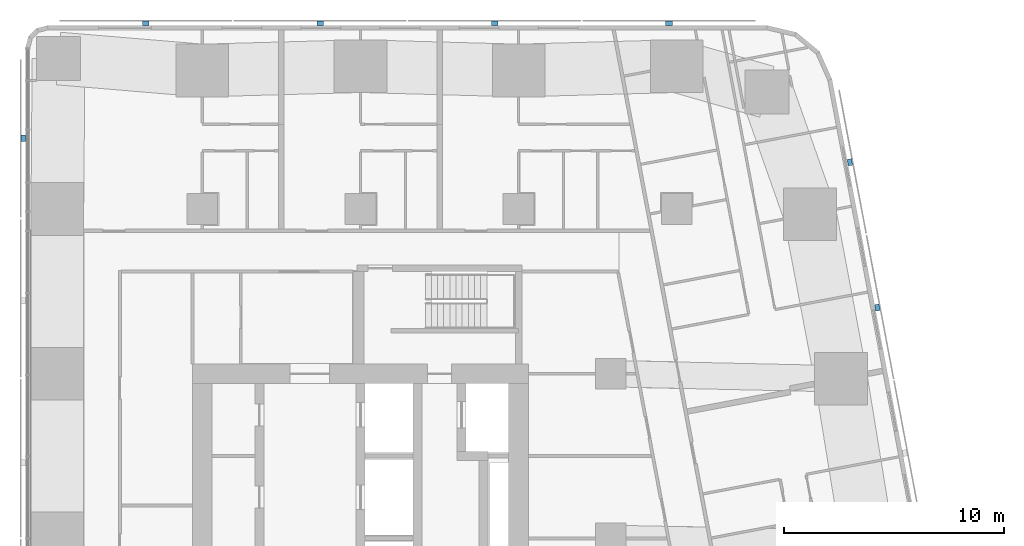
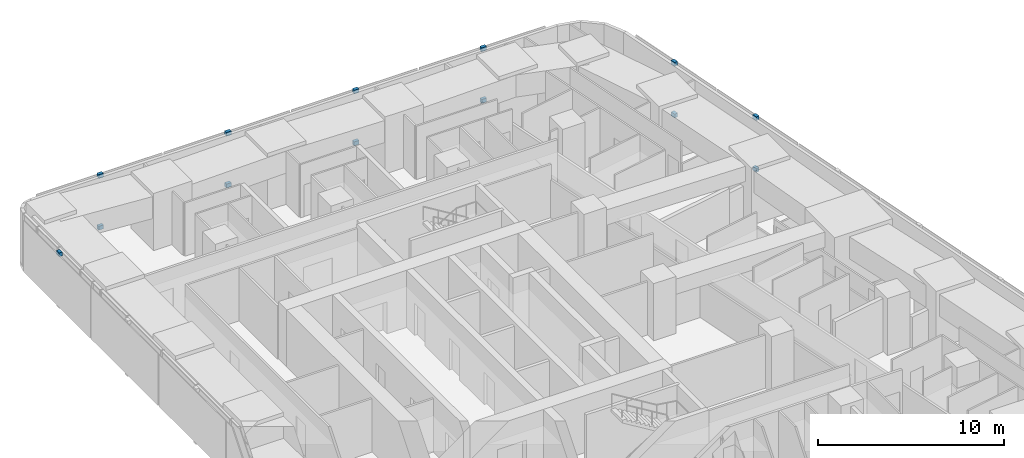
# One storey, part 15 of 17: 13 discrete accessories.
"""IFC4 building model written with IfcOpenShell, lengths in metres."""

from ifc_helpers import new_model, si_unit, direction, frame, origin, origin_2d, place, context, subcontext, project, spatial, rectangle, extrude, material, type_object, element, save


model = new_model("IFC4")

# Units and contexts
model_context = context("Model", 3, precision=1e-05, world=origin(), true_north=direction((0.0, 1.0)))
body_context = subcontext(model_context, "Body", "Model", "MODEL_VIEW")
ifc_project = project(units=[si_unit("LENGTHUNIT", "METRE"), si_unit("AREAUNIT", "SQUARE_METRE"), si_unit("VOLUMEUNIT", "CUBIC_METRE"), si_unit("PLANEANGLEUNIT", "RADIAN"), si_unit("MASSUNIT", "GRAM", prefix="KILO")], contexts=[model_context])

# Site, building, storey
site_placement = place(None, origin())
site = spatial("IfcSite", under=ifc_project, at=site_placement, CompositionType="ELEMENT")
building_placement = place(site_placement, origin())
building = spatial("IfcBuilding", under=site, at=building_placement, Name="Sheger Commons Tower", CompositionType="ELEMENT")
storey_placement = place(building_placement, frame((0.0, 0.0, 212.449951171875)))
storey = spatial("IfcBuildingStorey", under=building, at=storey_placement, Name="L54", CompositionType="ELEMENT", Elevation=212.449951171875)

# Discrete accessories
ifc_material = material(Name="Black painted steel bracket", Category="steel")
discrete_accessory_type = type_object("IfcDiscreteAccessoryType", Name="SCREEN BRACKET 300x200x250", PredefinedType="BRACKET", material=ifc_material)
for number, where, z_axis, x_axis, name in (
    (1, (45.133056640625, 33.0048828125, -0.099853515625), (0.0, 0.0, 1.0), (-0.185615165645, 0.982622516678, 0.0), "Solar screen foot bracket"),
    (2, (45.133056640625, 33.0048828125, 3.300048828125), (0.0, 0.0, 1.0), (-0.185615165645, 0.982622516678, 0.0), "Solar screen head bracket"),
    (3, (43.882080078125, 39.6240234375, -0.099853515625), (0.0, 0.0, 1.0), (-0.185615165645, 0.982622516678, 0.0), "Solar screen foot bracket"),
    (4, (43.882080078125, 39.6240234375, 3.300048828125), (0.0, 0.0, 1.0), (-0.185615165645, 0.982622516678, 0.0), "Solar screen head bracket"),
    (5, (35.64697265625, 45.949951171875, -0.099853515625), (0.0, 0.0, 1.0), (-1.0, 0.0, 0.0), "Solar screen foot bracket"),
    (6, (35.64697265625, 45.949951171875, 3.300048828125), (0.0, 0.0, 1.0), (-1.0, 0.0, 0.0), "Solar screen head bracket"),
    (7, (27.705078125, 45.949951171875, -0.099853515625), (0.0, 0.0, 1.0), (-1.0, 0.0, 0.0), "Solar screen foot bracket"),
    (8, (27.705078125, 45.949951171875, 3.300048828125), (0.0, 0.0, 1.0), (-1.0, 0.0, 0.0), "Solar screen head bracket"),
    (9, (19.762939453125, 45.949951171875, -0.099853515625), (0.0, 0.0, 1.0), (-1.0, 0.0, 0.0), "Solar screen foot bracket"),
    (10, (19.762939453125, 45.949951171875, 3.300048828125), (0.0, 0.0, 1.0), (-1.0, 0.0, 0.0), "Solar screen head bracket"),
    (11, (11.821044921875, 45.949951171875, -0.099853515625), (0.0, 0.0, 1.0), (-1.0, 0.0, 0.0), "Solar screen foot bracket"),
    (12, (11.821044921875, 45.949951171875, 3.300048828125), (0.0, 0.0, 1.0), (-1.0, 0.0, 0.0), "Solar screen head bracket"),
    (13, (6.25, 40.7080078125, 3.300048828125), (0.0, 0.0, 1.0), (0.0, -1.0, 0.0), "Solar screen head bracket"),
):
    element("IfcDiscreteAccessory", number, at=place(storey_placement, frame(where, z_axis=z_axis, x_axis=x_axis)), inside=storey, type_object=discrete_accessory_type, Name=name, PredefinedType="BRACKET", context=body_context, shape_type="SweptSolid", body=[
        extrude(rectangle(XDim=0.300048828125, YDim=0.199951171875, at=origin_2d()), origin(), (0.0, 0.0, 1.0), 0.25),
    ])

save(model, "model.ifc")
